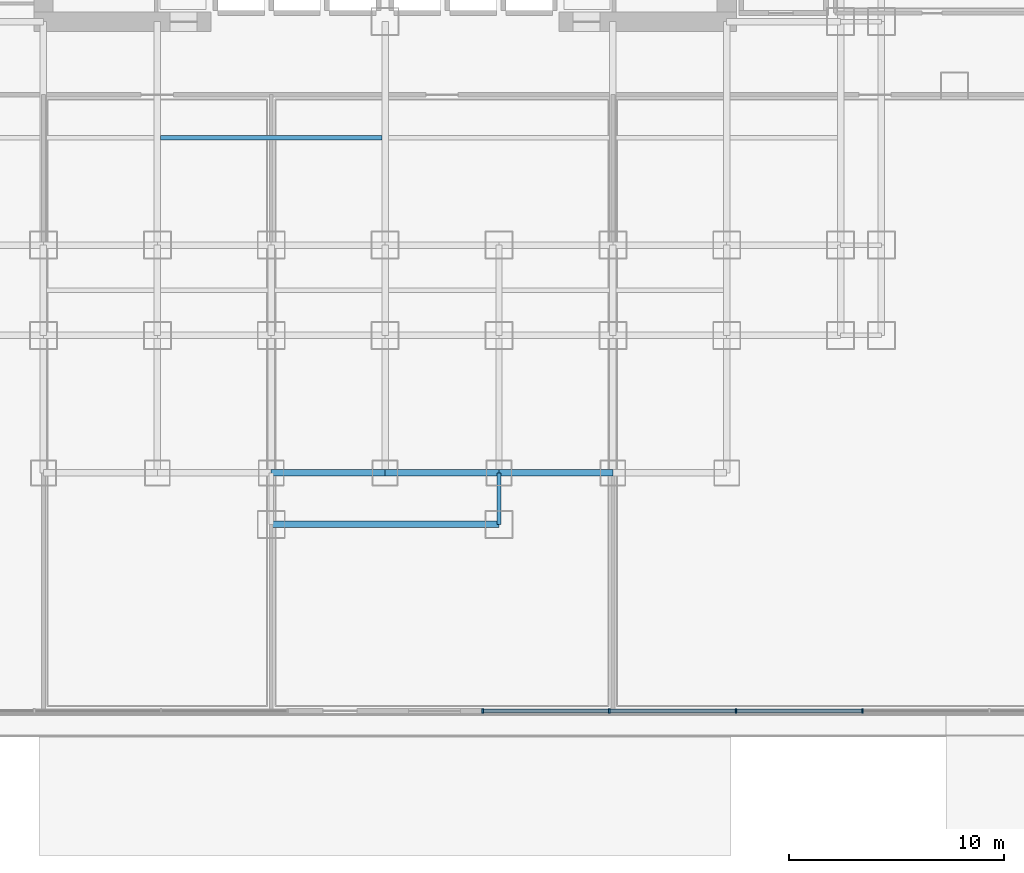
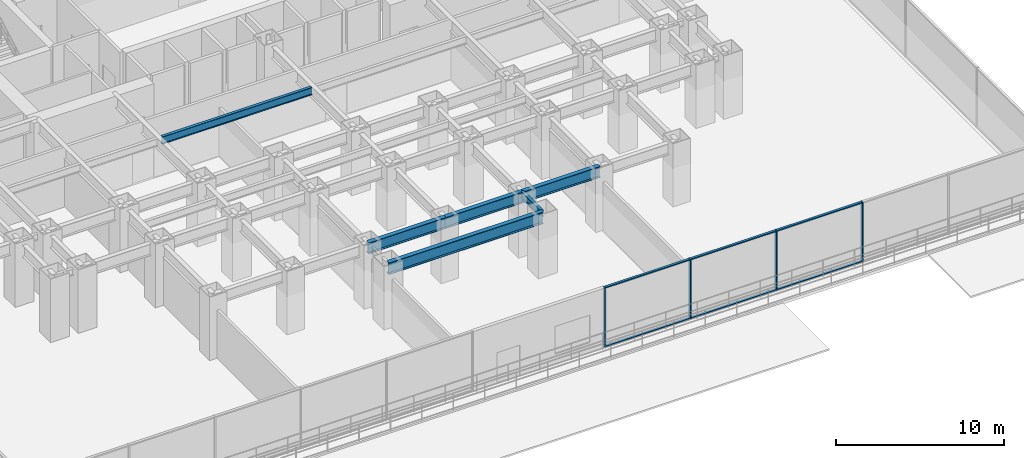
# One storey, part 3 of 13: 10 members, 6 beams, 1 element without a shape of its own.
"""IFC4 building model written with IfcOpenShell, lengths in metres."""

import ifcopenshell
import ifcopenshell.guid

model = None  # the IFC model being written
_history = None  # IfcOwnerHistory: only IFC2X3 demands one
_inside = {}  # id of a spatial element -> (the spatial element, [elements in it])
_under = {}  # id of a project, library or spatial element -> (it, [spatial elements below it])
_declared = {}  # id of a project -> (the project, [libraries it declares])
_typed = {}  # id of a type object -> (the type object, [elements of that type])
_made_of = {}  # id of a material, layer set ... -> (it, [elements and type objects made of it])


def new_model(schema):
    """Start an empty IFC model of exactly this schema.

    Asked for "IFC4X3", IfcOpenShell would pick the latest addendum, in which some entities
    have other attributes; the version numbers below select the first issue.
    IFC2X3 requires an IfcOwnerHistory on every rooted entity: one is made here for all.
    """
    global model, _history
    if schema == "IFC4X3":
        model = ifcopenshell.file(schema_version=(4, 3, 0, 0))
    else:
        model = ifcopenshell.file(schema=schema)
    _inside.clear()
    _under.clear()
    _declared.clear()
    _typed.clear()
    _made_of.clear()
    _history = None
    if model.schema == "IFC2X3":
        org = make("IfcOrganization", Name="unknown")
        user = make(
            "IfcPersonAndOrganization",
            ThePerson=make("IfcPerson", FamilyName="unknown"),
            TheOrganization=org,
        )
        app = make(
            "IfcApplication",
            ApplicationDeveloper=org,
            Version="unknown",
            ApplicationFullName="unknown",
            ApplicationIdentifier="unknown",
        )
        _history = make(
            "IfcOwnerHistory",
            OwningUser=user,
            OwningApplication=app,
            ChangeAction="ADDED",
            CreationDate=0,
        )
    return model


def make(cls, **values):
    """One entity of the class cls with the attributes given. An attribute that is None is left unset."""
    return model.create_entity(
        cls, **{name: value for name, value in values.items() if value is not None}
    )


def rooted(cls, **values):
    """An entity with a GlobalId (a new one), such as an element, a storey or a relation."""
    return make(cls, GlobalId=ifcopenshell.guid.new(), OwnerHistory=_history, **values)


def si_unit(unit_type, name, prefix=None):
    """IfcSIUnit, for example si_unit("LENGTHUNIT", "METRE", prefix="MILLI")."""
    return make("IfcSIUnit", UnitType=unit_type, Prefix=prefix, Name=name)


def assignment(units):
    """IfcUnitAssignment: the units of a project."""
    return None if units is None else make("IfcUnitAssignment", Units=units)


def point(xyz):
    """IfcCartesianPoint."""
    return None if xyz is None else make("IfcCartesianPoint", Coordinates=xyz)


def direction(xyz):
    """IfcDirection."""
    return None if xyz is None else make("IfcDirection", DirectionRatios=xyz)


def frame(location, z_axis=None, x_axis=None):
    """IfcAxis2Placement3D, a coordinate frame: its origin and axes. An axis left out is left unset."""
    return make(
        "IfcAxis2Placement3D",
        Location=point(location),
        Axis=direction(z_axis),
        RefDirection=direction(x_axis),
    )


def frame_2d(location, x_axis=None):
    """IfcAxis2Placement2D, a coordinate frame in the plane: its origin and x axis."""
    return make(
        "IfcAxis2Placement2D", Location=point(location), RefDirection=direction(x_axis)
    )


def origin():
    """The frame at (0, 0, 0) with its axes left unset."""
    return frame((0.0, 0.0, 0.0))


def origin_2d():
    """The frame at (0, 0) in the plane with its x axis left unset."""
    return frame_2d((0.0, 0.0))


def place(relative_to, where):
    """IfcLocalPlacement: puts the frame where relative to a parent placement (None: the world)."""
    return make(
        "IfcLocalPlacement", PlacementRelTo=relative_to, RelativePlacement=where
    )


def context(
    kind, dimensions, precision=None, world=None, true_north=None, identifier=None
):
    """IfcGeometricRepresentationContext, for example the 3D "Model" context."""
    return make(
        "IfcGeometricRepresentationContext",
        ContextIdentifier=identifier,
        ContextType=kind,
        CoordinateSpaceDimension=dimensions,
        Precision=precision,
        WorldCoordinateSystem=world,
        TrueNorth=true_north,
    )


def subcontext(parent, identifier, kind, view, scale=None):
    """IfcGeometricRepresentationSubContext, for example "Body" below "Model"."""
    return make(
        "IfcGeometricRepresentationSubContext",
        ContextIdentifier=identifier,
        ContextType=kind,
        ParentContext=parent,
        TargetScale=scale,
        TargetView=view,
    )


def project(units=None, contexts=None):
    """IfcProject with its units and contexts."""
    return rooted(
        "IfcProject",
        Name="project",
        RepresentationContexts=contexts,
        UnitsInContext=assignment(units),
    )


def spatial(cls, under=None, at=None, **own):
    """A site, building, storey or space (cls), placed at a placement, below another one or the project."""
    s = rooted(cls, ObjectPlacement=at, **own)
    if under is not None:
        _under.setdefault(under.id(), (under, []))[1].append(s)
    return s


def profile(cls, at=None, kind="AREA", **sizes):
    """A parametric profile (cls). Its sizes go by their IFC names, for example OverallWidth=200.0."""
    return make(cls, ProfileType=kind, Position=at, **sizes)


def rectangle(**sizes):
    """IfcRectangleProfileDef."""
    return profile("IfcRectangleProfileDef", **sizes)


def i_section(**sizes):
    """IfcIShapeProfileDef."""
    return profile("IfcIShapeProfileDef", **sizes)


def extrude(swept, where, along, depth):
    """IfcExtrudedAreaSolid: the profile swept, set in the frame where, extruded along a direction by depth."""
    return make(
        "IfcExtrudedAreaSolid",
        SweptArea=swept,
        Position=where,
        ExtrudedDirection=direction(along),
        Depth=depth,
    )


def shape(context_of_items, identifier, shape_type, items):
    """IfcShapeRepresentation: the items that make up one representation, for example the "Body"."""
    return make(
        "IfcShapeRepresentation",
        ContextOfItems=context_of_items,
        RepresentationIdentifier=identifier,
        RepresentationType=shape_type,
        Items=items,
    )


def source(mapping_origin, context_of_items, identifier, shape_type, items):
    """IfcRepresentationMap: a shape defined once, which mapped items show again and again."""
    return make(
        "IfcRepresentationMap",
        MappingOrigin=mapping_origin,
        MappedRepresentation=shape(context_of_items, identifier, shape_type, items),
    )


def transform(
    local_origin,
    x_axis=None,
    y_axis=None,
    z_axis=None,
    scale=None,
    scale2=None,
    scale3=None,
    uniform=True,
):
    """IfcCartesianTransformationOperator3D, or its non-uniform kind. x_axis, y_axis, z_axis: its Axis1, 2, 3."""
    if uniform:
        return make(
            "IfcCartesianTransformationOperator3D",
            Axis1=direction(x_axis),
            Axis2=direction(y_axis),
            LocalOrigin=point(local_origin),
            Scale=scale,
            Axis3=direction(z_axis),
        )
    return make(
        "IfcCartesianTransformationOperator3DnonUniform",
        Axis1=direction(x_axis),
        Axis2=direction(y_axis),
        LocalOrigin=point(local_origin),
        Scale=scale,
        Axis3=direction(z_axis),
        Scale2=scale2,
        Scale3=scale3,
    )


def mapped(mapping_source, mapping_target):
    """IfcMappedItem: shows the shape of a source again, moved by a transform."""
    return make(
        "IfcMappedItem", MappingSource=mapping_source, MappingTarget=mapping_target
    )


def material(Name=None, Category=None):
    """IfcMaterial."""
    return make("IfcMaterial", Name=Name, Category=Category)


def layer(
    of_material, thickness, ventilated=None, Name=None, Category=None, Priority=None
):
    """IfcMaterialLayer: one layer of a wall or slab, of a material (None: an air gap)."""
    return make(
        "IfcMaterialLayer",
        Material=of_material,
        LayerThickness=thickness,
        IsVentilated=ventilated,
        Name=Name,
        Category=Category,
        Priority=Priority,
    )


def layer_set(layers, Name=None):
    """IfcMaterialLayerSet."""
    return make("IfcMaterialLayerSet", MaterialLayers=layers, LayerSetName=Name)


def material_profile(
    of_material, cross_section, Name=None, Category=None, Priority=None
):
    """IfcMaterialProfile: a cross section and its material."""
    return make(
        "IfcMaterialProfile",
        Name=Name,
        Material=of_material,
        Profile=cross_section,
        Priority=Priority,
        Category=Category,
    )


def profile_set(profiles, Name=None, composite=None):
    """IfcMaterialProfileSet."""
    return make(
        "IfcMaterialProfileSet",
        Name=Name,
        MaterialProfiles=profiles,
        CompositeProfile=composite,
    )


def made_of(thing, what):
    """Note that an element or type object is made of a material, layer set ...; save() writes the relation."""
    if what is not None:
        _made_of.setdefault(what.id(), (what, []))[1].append(thing)
    return thing


def type_object(cls, material=None, **own):
    """A type object (cls), such as IfcWallType, which elements share."""
    return made_of(rooted(cls, **own), material)


def element(
    cls,
    number,
    at=None,
    inside=None,
    cuts=None,
    type_object=None,
    material=None,
    context=None,
    identifier="Body",
    shape_type=None,
    held_by="IfcProductDefinitionShape",
    body=None,
    shapes=None,
    **own,
):
    """One element of the class cls, such as IfcWall. Its Tag is "e" and its number.

    at: its placement. inside: the storey or other place that contains it. cuts: it is an
    opening in that element (IfcRelVoidsElement). A single representation is given by context,
    identifier, shape_type and body (its items); several are given by shapes. held_by: the class
    of the entity that holds the representations. save() writes the other relations.
    """
    e = rooted(cls, Tag="e%d" % number, ObjectPlacement=at, **own)
    if body is not None:
        shapes = [shape(context, identifier, shape_type, body)]
    if shapes is not None:
        e.Representation = make(held_by, Representations=shapes)
    if inside is not None:
        _inside.setdefault(inside.id(), (inside, []))[1].append(e)
    if cuts is not None:
        rooted(
            "IfcRelVoidsElement", RelatingBuildingElement=cuts, RelatedOpeningElement=e
        )
    if type_object is not None:
        _typed.setdefault(type_object.id(), (type_object, []))[1].append(e)
    return made_of(e, material)


def aggregate(whole, parts):
    """IfcRelAggregates: a whole, such as a stair, and the parts it consists of."""
    return rooted("IfcRelAggregates", RelatingObject=whole, RelatedObjects=parts)


def save(model, path):
    """Write the relations noted so far, then the file.

    IfcRelAggregates (storeys below a building ...), IfcRelContainedInSpatialStructure (elements
    in a storey), IfcRelDefinesByType, IfcRelAssociatesMaterial and IfcRelDeclares: one each for
    every whole, place, type object, material and project.
    """
    for whole, parts in _under.values():
        aggregate(whole, parts)
    for where, things in _inside.values():
        rooted(
            "IfcRelContainedInSpatialStructure",
            RelatedElements=things,
            RelatingStructure=where,
        )
    for kind, things in _typed.values():
        rooted("IfcRelDefinesByType", RelatedObjects=things, RelatingType=kind)
    for what, things in _made_of.values():
        rooted("IfcRelAssociatesMaterial", RelatedObjects=things, RelatingMaterial=what)
    for by, libraries in _declared.values():
        rooted("IfcRelDeclares", RelatingContext=by, RelatedDefinitions=libraries)
    model.write(path)


model = new_model("IFC4")

# Units and contexts
model_context = context("Model", 3, precision=1e-05, world=origin(), true_north=direction((0.0, 1.0)))
body_context = subcontext(model_context, "Body", "Model", "MODEL_VIEW")
ifc_project = project(units=[si_unit("LENGTHUNIT", "METRE"), si_unit("AREAUNIT", "SQUARE_METRE"), si_unit("VOLUMEUNIT", "CUBIC_METRE"), si_unit("PLANEANGLEUNIT", "RADIAN"), si_unit("MASSUNIT", "GRAM", prefix="KILO")], contexts=[model_context])

# Site, building, storey
site_placement = place(None, origin())
site = spatial("IfcSite", under=ifc_project, at=site_placement, CompositionType="ELEMENT")
building_placement = place(site_placement, origin())
building = spatial("IfcBuilding", under=site, at=building_placement, Name="Qianlan Lanfeng Residences", CompositionType="ELEMENT")
storey_placement = place(building_placement, frame((0.0, 0.0, 5.199951171875)))
storey = spatial("IfcBuildingStorey", under=building, at=storey_placement, Name="L01", CompositionType="ELEMENT", Elevation=5.199951171875)

# Beams
ifc_material_1 = material(Name="Steel SN490B", Category="steel")
ifc_material_profile_1 = material_profile(ifc_material_1, i_section(OverallWidth=0.300048828125, OverallDepth=0.85009765625, WebThickness=0.01611328125, FlangeThickness=0.031982421875, at=origin_2d()), Name="H 850x300x16x32")
ifc_profile_set_1 = profile_set([ifc_material_profile_1], Name="Steel SN490B")
beam_type_1 = type_object("IfcBeamType", Name="G-1100", PredefinedType="BEAM", material=ifc_profile_set_1)
beam_1_placement = place(storey_placement, frame((21.199951171875, 1.800048828125, 3.925048828125), z_axis=(1.0, 0.0, 0.0), x_axis=(0.0, 1.0, 0.0)))
element("IfcBeam", 1, at=beam_1_placement, inside=storey, type_object=beam_type_1, Name="Structural beam G-1100", PredefinedType="BEAM", context=body_context, shape_type="SweptSolid", body=[
    extrude(i_section(OverallWidth=0.300048828125, OverallDepth=0.85009765625, WebThickness=0.01611328125, FlangeThickness=0.031982421875, at=origin_2d()), origin(), (0.0, 0.0, 1.0), 10.60009765625),
])
ifc_material_profile_2 = material_profile(ifc_material_1, i_section(OverallWidth=0.199951171875, OverallDepth=0.449951171875, WebThickness=0.009033203125, FlangeThickness=0.013916015625, at=origin_2d()), Name="H 450x200x9x14")
ifc_profile_set_2 = profile_set([ifc_material_profile_2], Name="Steel SN490B")
beam_type_2 = type_object("IfcBeamType", Name="J-450", PredefinedType="JOIST", material=ifc_profile_set_2)
beam_2_placement = place(storey_placement, frame((31.800048828125, 1.800048828125, 4.125), z_axis=(0.0, 1.0, 0.0), x_axis=(-1.0, 0.0, 0.0)))
element("IfcBeam", 2, at=beam_2_placement, inside=storey, type_object=beam_type_2, Name="Structural beam J-450", PredefinedType="JOIST", context=body_context, shape_type="SweptSolid", body=[
    extrude(i_section(OverallWidth=0.199951171875, OverallDepth=0.449951171875, WebThickness=0.009033203125, FlangeThickness=0.013916015625, at=origin_2d()), origin(), (0.0, 0.0, 1.0), 2.39990234375),
])
ifc_material_profile_3 = material_profile(ifc_material_1, i_section(OverallWidth=0.199951171875, OverallDepth=0.550048828125, WebThickness=0.010986328125, FlangeThickness=0.01806640625, at=origin_2d()), Name="H 550x200x11x18")
ifc_profile_set_3 = profile_set([ifc_material_profile_3], Name="Steel SN490B")
beam_type_3 = type_object("IfcBeamType", Name="J-550", PredefinedType="JOIST", material=ifc_profile_set_3)
beam_3_placement = place(storey_placement, frame((16.050048828125, 19.800048828125, 4.074951171875), z_axis=(1.0, 0.0, 0.0), x_axis=(0.0, 1.0, 0.0)))
element("IfcBeam", 3, at=beam_3_placement, inside=storey, type_object=beam_type_3, Name="Structural beam J-550", PredefinedType="JOIST", context=body_context, shape_type="SweptSolid", body=[
    extrude(i_section(OverallWidth=0.199951171875, OverallDepth=0.550048828125, WebThickness=0.010986328125, FlangeThickness=0.01806640625, at=origin_2d()), origin(), (0.0, 0.0, 1.0), 10.300048828125),
])
ifc_material_profile_4 = material_profile(ifc_material_1, i_section(OverallWidth=0.300048828125, OverallDepth=0.800048828125, WebThickness=0.01611328125, FlangeThickness=0.028076171875, at=origin_2d()), Name="H 800x300x16x28")
ifc_profile_set_4 = profile_set([ifc_material_profile_4], Name="Steel SN490B")
beam_type_4 = type_object("IfcBeamType", Name="SG-950", PredefinedType="SPANDREL", material=ifc_profile_set_4)
for number, where, z_axis, x_axis, name in (
    (4, (21.199951171875, 4.199951171875, 3.949951171875), (1.0, 0.0, 0.0), (0.0, 1.0, 0.0), "Structural beam SG-950"),
    (5, (26.5, 4.199951171875, 3.949951171875), (1.0, 0.0, 0.0), (0.0, 1.0, 0.0), "Structural beam SG-950"),
    (6, (31.800048828125, 4.199951171875, 3.949951171875), (1.0, 0.0, 0.0), (0.0, 1.0, 0.0), "Structural beam SG-950"),
):
    element("IfcBeam", number, at=place(storey_placement, frame(where, z_axis=z_axis, x_axis=x_axis)), inside=storey, type_object=beam_type_4, Name=name, PredefinedType="SPANDREL", context=body_context, shape_type="SweptSolid", body=[
        extrude(i_section(OverallWidth=0.300048828125, OverallDepth=0.800048828125, WebThickness=0.01611328125, FlangeThickness=0.028076171875, at=origin_2d()), origin(), (0.0, 0.0, 1.0), 5.300048828125),
    ])

# Curtain wall, members
ifc_material_2 = material(Name="Anodised Bronze Aluminium 6063-T6", Category="aluminium")
ifc_layer = layer(ifc_material_2, 0.219970703125)
ifc_layer_set = layer_set([ifc_layer], Name="Anodised Bronze Aluminium 6063-T6")
curtain_wall_type = type_object("IfcCurtainWallType", Name="CW-01", PredefinedType="NOTDEFINED", material=ifc_layer_set)
curtain_wall_placement = place(storey_placement, origin())
curtain_wall = element("IfcCurtainWall", 7, at=curtain_wall_placement, inside=storey, type_object=curtain_wall_type, Name="L01 Unitised Curtain Wall CWR-L01-SE (CW-01)", PredefinedType="NOTDEFINED")
ifc_material_profile_5 = material_profile(ifc_material_2, rectangle(XDim=0.080078125, YDim=0.2099609375, at=origin_2d()), Name="ALU MULLION 80x210")
ifc_profile_set_5 = profile_set([ifc_material_profile_5], Name="Anodised Bronze Aluminium 6063-T6")
member_type_1 = type_object("IfcMemberType", Name="CWM-220", PredefinedType="MULLION", material=ifc_profile_set_5)
shared_shape_1 = source(origin(), body_context, "Body", "SweptSolid", [
    extrude(rectangle(XDim=0.080078125, YDim=0.2099609375, at=origin_2d()), origin(), (0.0, 0.0, 1.0), 4.35009765625),
])
member_1_placement = place(storey_placement, frame((31.0400390625, -6.8798828125, 0.0), z_axis=(0.0, 0.0, 1.0), x_axis=(1.0, 0.0, 0.0)))
member_1 = element("IfcMember", 8, at=member_1_placement, type_object=member_type_1, Name="CWR-L01-SE Mullion 1", PredefinedType="MULLION", context=body_context, shape_type="MappedRepresentation", body=[
    mapped(shared_shape_1, transform((0.0, 0.0, 0.0), scale=1.0)),
])
member_2_placement = place(storey_placement, frame((36.93408203125, -6.8798828125, 0.0), z_axis=(0.0, 0.0, 1.0), x_axis=(1.0, 0.0, 0.0)))
member_2 = element("IfcMember", 9, at=member_2_placement, type_object=member_type_1, Name="CWR-L01-SE Mullion 2", PredefinedType="MULLION", context=body_context, shape_type="MappedRepresentation", body=[
    mapped(shared_shape_1, transform((0.0, 0.0, 0.0), scale=1.0)),
])
member_3_placement = place(storey_placement, frame((42.827880859375, -6.8798828125, 0.0), z_axis=(0.0, 0.0, 1.0), x_axis=(1.0, 0.0, 0.0)))
member_3 = element("IfcMember", 10, at=member_3_placement, type_object=member_type_1, Name="CWR-L01-SE Mullion 3", PredefinedType="MULLION", context=body_context, shape_type="MappedRepresentation", body=[
    mapped(shared_shape_1, transform((0.0, 0.0, 0.0), scale=1.0)),
])
member_4_placement = place(storey_placement, frame((48.721923828125, -6.8798828125, 0.0), z_axis=(0.0, 0.0, 1.0), x_axis=(1.0, 0.0, 0.0)))
member_4 = element("IfcMember", 11, at=member_4_placement, type_object=member_type_1, Name="CWR-L01-SE Mullion 4", PredefinedType="MULLION", context=body_context, shape_type="MappedRepresentation", body=[
    mapped(shared_shape_1, transform((0.0, 0.0, 0.0), scale=1.0)),
])
ifc_material_profile_6 = material_profile(ifc_material_2, rectangle(XDim=0.080078125, YDim=0.159912109375, at=origin_2d()), Name="ALU TRANSOM 80x160")
ifc_profile_set_6 = profile_set([ifc_material_profile_6], Name="Anodised Bronze Aluminium 6063-T6")
member_type_2 = type_object("IfcMemberType", Name="CWT-180", PredefinedType="USERDEFINED", material=ifc_profile_set_6)
shared_shape_2 = source(origin(), body_context, "Body", "SweptSolid", [
    extrude(rectangle(XDim=0.080078125, YDim=0.159912109375, at=origin_2d()), origin(), (0.0, 0.0, 1.0), 5.81396484375),
])
member_5_placement = place(storey_placement, frame((31.080078125, -6.8798828125, 0.0400390625), z_axis=(1.0, 0.0, 0.0), x_axis=(0.0, 0.0, 1.0)))
member_5 = element("IfcMember", 12, at=member_5_placement, type_object=member_type_2, Name="CWR-L01-SE Transom 1-BOT", ObjectType="TRANSOM", PredefinedType="USERDEFINED", context=body_context, shape_type="MappedRepresentation", body=[
    mapped(shared_shape_2, transform((0.0, 0.0, 0.0), scale=1.0)),
])
member_6_placement = place(storey_placement, frame((31.080078125, -6.8798828125, 4.31005859375), z_axis=(1.0, 0.0, 0.0), x_axis=(0.0, 0.0, 1.0)))
member_6 = element("IfcMember", 13, at=member_6_placement, type_object=member_type_2, Name="CWR-L01-SE Transom 1-TOP", ObjectType="TRANSOM", PredefinedType="USERDEFINED", context=body_context, shape_type="MappedRepresentation", body=[
    mapped(shared_shape_2, transform((0.0, 0.0, 0.0), scale=1.0)),
])
member_7_placement = place(storey_placement, frame((36.97412109375, -6.8798828125, 0.0400390625), z_axis=(1.0, 0.0, 0.0), x_axis=(0.0, 0.0, 1.0)))
member_7 = element("IfcMember", 14, at=member_7_placement, type_object=member_type_2, Name="CWR-L01-SE Transom 2-BOT", ObjectType="TRANSOM", PredefinedType="USERDEFINED", context=body_context, shape_type="MappedRepresentation", body=[
    mapped(shared_shape_2, transform((0.0, 0.0, 0.0), scale=1.0)),
])
member_8_placement = place(storey_placement, frame((36.97412109375, -6.8798828125, 4.31005859375), z_axis=(1.0, 0.0, 0.0), x_axis=(0.0, 0.0, 1.0)))
member_8 = element("IfcMember", 15, at=member_8_placement, type_object=member_type_2, Name="CWR-L01-SE Transom 2-TOP", ObjectType="TRANSOM", PredefinedType="USERDEFINED", context=body_context, shape_type="MappedRepresentation", body=[
    mapped(shared_shape_2, transform((0.0, 0.0, 0.0), scale=1.0)),
])
member_9_placement = place(storey_placement, frame((42.867919921875, -6.8798828125, 0.0400390625), z_axis=(1.0, 0.0, 0.0), x_axis=(0.0, 0.0, 1.0)))
member_9 = element("IfcMember", 16, at=member_9_placement, type_object=member_type_2, Name="CWR-L01-SE Transom 3-BOT", ObjectType="TRANSOM", PredefinedType="USERDEFINED", context=body_context, shape_type="MappedRepresentation", body=[
    mapped(shared_shape_2, transform((0.0, 0.0, 0.0), scale=1.0)),
])
member_10_placement = place(storey_placement, frame((42.867919921875, -6.8798828125, 4.31005859375), z_axis=(1.0, 0.0, 0.0), x_axis=(0.0, 0.0, 1.0)))
member_10 = element("IfcMember", 17, at=member_10_placement, type_object=member_type_2, Name="CWR-L01-SE Transom 3-TOP", ObjectType="TRANSOM", PredefinedType="USERDEFINED", context=body_context, shape_type="MappedRepresentation", body=[
    mapped(shared_shape_2, transform((0.0, 0.0, 0.0), scale=1.0)),
])
aggregate(curtain_wall, [member_1, member_2, member_3, member_4, member_5, member_6, member_7, member_8, member_9, member_10])

save(model, "model.ifc")
